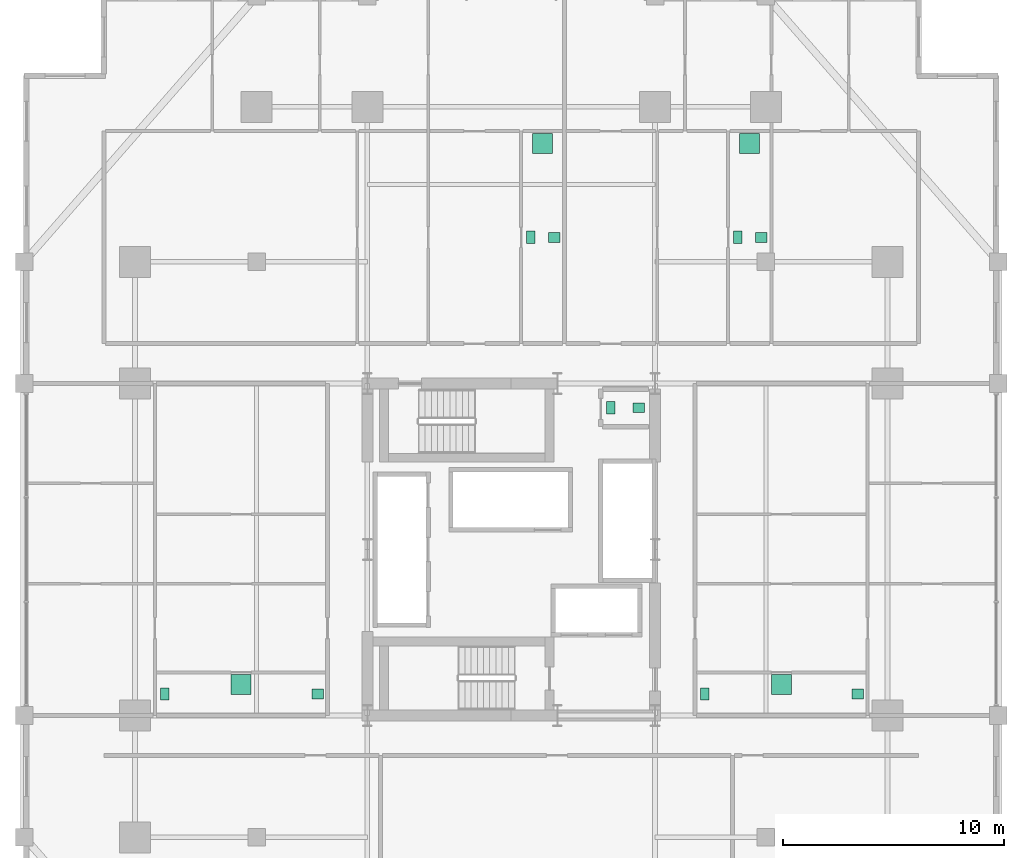
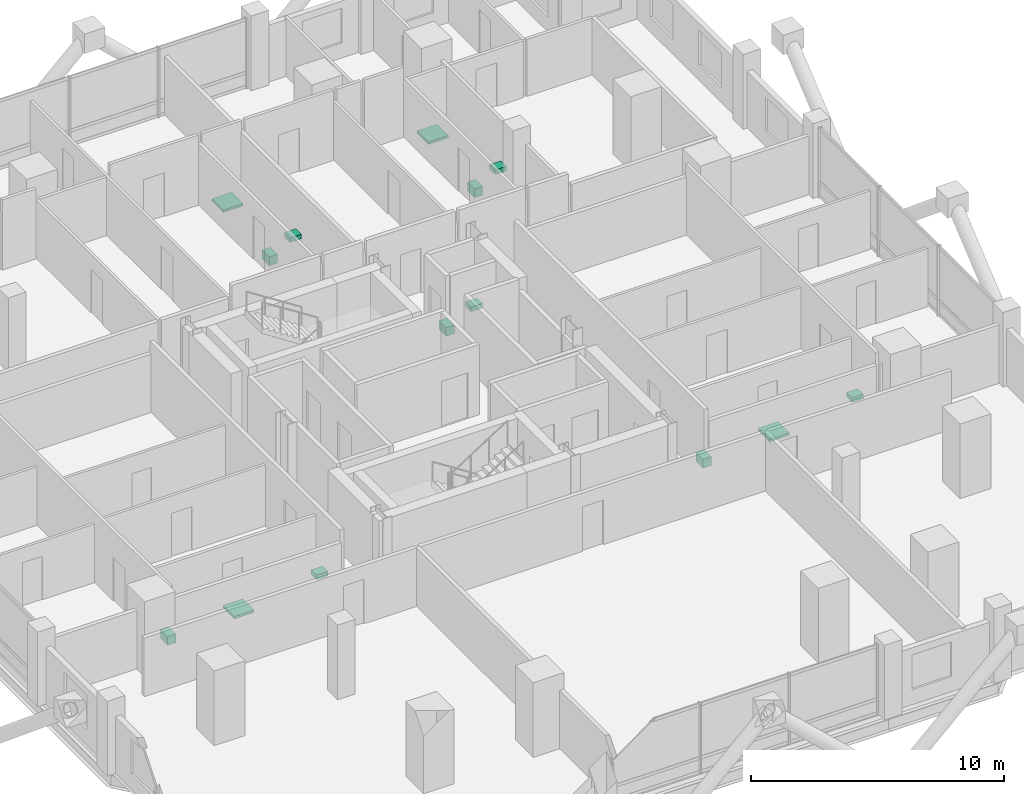
# One storey, part 23 of 23: 14 sanitary terminals.
"""IFC4 building model written with IfcOpenShell, lengths in metres."""

import ifcopenshell
import ifcopenshell.guid

model = None  # the IFC model being written
_history = None  # IfcOwnerHistory: only IFC2X3 demands one
_inside = {}  # id of a spatial element -> (the spatial element, [elements in it])
_under = {}  # id of a project, library or spatial element -> (it, [spatial elements below it])
_declared = {}  # id of a project -> (the project, [libraries it declares])
_typed = {}  # id of a type object -> (the type object, [elements of that type])
_made_of = {}  # id of a material, layer set ... -> (it, [elements and type objects made of it])


def new_model(schema):
    """Start an empty IFC model of exactly this schema.

    Asked for "IFC4X3", IfcOpenShell would pick the latest addendum, in which some entities
    have other attributes; the version numbers below select the first issue.
    IFC2X3 requires an IfcOwnerHistory on every rooted entity: one is made here for all.
    """
    global model, _history
    if schema == "IFC4X3":
        model = ifcopenshell.file(schema_version=(4, 3, 0, 0))
    else:
        model = ifcopenshell.file(schema=schema)
    _inside.clear()
    _under.clear()
    _declared.clear()
    _typed.clear()
    _made_of.clear()
    _history = None
    if model.schema == "IFC2X3":
        org = make("IfcOrganization", Name="unknown")
        user = make(
            "IfcPersonAndOrganization",
            ThePerson=make("IfcPerson", FamilyName="unknown"),
            TheOrganization=org,
        )
        app = make(
            "IfcApplication",
            ApplicationDeveloper=org,
            Version="unknown",
            ApplicationFullName="unknown",
            ApplicationIdentifier="unknown",
        )
        _history = make(
            "IfcOwnerHistory",
            OwningUser=user,
            OwningApplication=app,
            ChangeAction="ADDED",
            CreationDate=0,
        )
    return model


def make(cls, **values):
    """One entity of the class cls with the attributes given. An attribute that is None is left unset."""
    return model.create_entity(
        cls, **{name: value for name, value in values.items() if value is not None}
    )


def rooted(cls, **values):
    """An entity with a GlobalId (a new one), such as an element, a storey or a relation."""
    return make(cls, GlobalId=ifcopenshell.guid.new(), OwnerHistory=_history, **values)


def si_unit(unit_type, name, prefix=None):
    """IfcSIUnit, for example si_unit("LENGTHUNIT", "METRE", prefix="MILLI")."""
    return make("IfcSIUnit", UnitType=unit_type, Prefix=prefix, Name=name)


def assignment(units):
    """IfcUnitAssignment: the units of a project."""
    return None if units is None else make("IfcUnitAssignment", Units=units)


def point(xyz):
    """IfcCartesianPoint."""
    return None if xyz is None else make("IfcCartesianPoint", Coordinates=xyz)


def direction(xyz):
    """IfcDirection."""
    return None if xyz is None else make("IfcDirection", DirectionRatios=xyz)


def frame(location, z_axis=None, x_axis=None):
    """IfcAxis2Placement3D, a coordinate frame: its origin and axes. An axis left out is left unset."""
    return make(
        "IfcAxis2Placement3D",
        Location=point(location),
        Axis=direction(z_axis),
        RefDirection=direction(x_axis),
    )


def frame_2d(location, x_axis=None):
    """IfcAxis2Placement2D, a coordinate frame in the plane: its origin and x axis."""
    return make(
        "IfcAxis2Placement2D", Location=point(location), RefDirection=direction(x_axis)
    )


def origin():
    """The frame at (0, 0, 0) with its axes left unset."""
    return frame((0.0, 0.0, 0.0))


def origin_2d():
    """The frame at (0, 0) in the plane with its x axis left unset."""
    return frame_2d((0.0, 0.0))


def place(relative_to, where):
    """IfcLocalPlacement: puts the frame where relative to a parent placement (None: the world)."""
    return make(
        "IfcLocalPlacement", PlacementRelTo=relative_to, RelativePlacement=where
    )


def context(
    kind, dimensions, precision=None, world=None, true_north=None, identifier=None
):
    """IfcGeometricRepresentationContext, for example the 3D "Model" context."""
    return make(
        "IfcGeometricRepresentationContext",
        ContextIdentifier=identifier,
        ContextType=kind,
        CoordinateSpaceDimension=dimensions,
        Precision=precision,
        WorldCoordinateSystem=world,
        TrueNorth=true_north,
    )


def subcontext(parent, identifier, kind, view, scale=None):
    """IfcGeometricRepresentationSubContext, for example "Body" below "Model"."""
    return make(
        "IfcGeometricRepresentationSubContext",
        ContextIdentifier=identifier,
        ContextType=kind,
        ParentContext=parent,
        TargetScale=scale,
        TargetView=view,
    )


def project(units=None, contexts=None):
    """IfcProject with its units and contexts."""
    return rooted(
        "IfcProject",
        Name="project",
        RepresentationContexts=contexts,
        UnitsInContext=assignment(units),
    )


def spatial(cls, under=None, at=None, **own):
    """A site, building, storey or space (cls), placed at a placement, below another one or the project."""
    s = rooted(cls, ObjectPlacement=at, **own)
    if under is not None:
        _under.setdefault(under.id(), (under, []))[1].append(s)
    return s


def profile(cls, at=None, kind="AREA", **sizes):
    """A parametric profile (cls). Its sizes go by their IFC names, for example OverallWidth=200.0."""
    return make(cls, ProfileType=kind, Position=at, **sizes)


def rectangle(**sizes):
    """IfcRectangleProfileDef."""
    return profile("IfcRectangleProfileDef", **sizes)


def extrude(swept, where, along, depth):
    """IfcExtrudedAreaSolid: the profile swept, set in the frame where, extruded along a direction by depth."""
    return make(
        "IfcExtrudedAreaSolid",
        SweptArea=swept,
        Position=where,
        ExtrudedDirection=direction(along),
        Depth=depth,
    )


def shape(context_of_items, identifier, shape_type, items):
    """IfcShapeRepresentation: the items that make up one representation, for example the "Body"."""
    return make(
        "IfcShapeRepresentation",
        ContextOfItems=context_of_items,
        RepresentationIdentifier=identifier,
        RepresentationType=shape_type,
        Items=items,
    )


def material(Name=None, Category=None):
    """IfcMaterial."""
    return make("IfcMaterial", Name=Name, Category=Category)


def made_of(thing, what):
    """Note that an element or type object is made of a material, layer set ...; save() writes the relation."""
    if what is not None:
        _made_of.setdefault(what.id(), (what, []))[1].append(thing)
    return thing


def type_object(cls, material=None, **own):
    """A type object (cls), such as IfcWallType, which elements share."""
    return made_of(rooted(cls, **own), material)


def element(
    cls,
    number,
    at=None,
    inside=None,
    cuts=None,
    type_object=None,
    material=None,
    context=None,
    identifier="Body",
    shape_type=None,
    held_by="IfcProductDefinitionShape",
    body=None,
    shapes=None,
    **own,
):
    """One element of the class cls, such as IfcWall. Its Tag is "e" and its number.

    at: its placement. inside: the storey or other place that contains it. cuts: it is an
    opening in that element (IfcRelVoidsElement). A single representation is given by context,
    identifier, shape_type and body (its items); several are given by shapes. held_by: the class
    of the entity that holds the representations. save() writes the other relations.
    """
    e = rooted(cls, Tag="e%d" % number, ObjectPlacement=at, **own)
    if body is not None:
        shapes = [shape(context, identifier, shape_type, body)]
    if shapes is not None:
        e.Representation = make(held_by, Representations=shapes)
    if inside is not None:
        _inside.setdefault(inside.id(), (inside, []))[1].append(e)
    if cuts is not None:
        rooted(
            "IfcRelVoidsElement", RelatingBuildingElement=cuts, RelatedOpeningElement=e
        )
    if type_object is not None:
        _typed.setdefault(type_object.id(), (type_object, []))[1].append(e)
    return made_of(e, material)


def aggregate(whole, parts):
    """IfcRelAggregates: a whole, such as a stair, and the parts it consists of."""
    return rooted("IfcRelAggregates", RelatingObject=whole, RelatedObjects=parts)


def save(model, path):
    """Write the relations noted so far, then the file.

    IfcRelAggregates (storeys below a building ...), IfcRelContainedInSpatialStructure (elements
    in a storey), IfcRelDefinesByType, IfcRelAssociatesMaterial and IfcRelDeclares: one each for
    every whole, place, type object, material and project.
    """
    for whole, parts in _under.values():
        aggregate(whole, parts)
    for where, things in _inside.values():
        rooted(
            "IfcRelContainedInSpatialStructure",
            RelatedElements=things,
            RelatingStructure=where,
        )
    for kind, things in _typed.values():
        rooted("IfcRelDefinesByType", RelatedObjects=things, RelatingType=kind)
    for what, things in _made_of.values():
        rooted("IfcRelAssociatesMaterial", RelatedObjects=things, RelatingMaterial=what)
    for by, libraries in _declared.values():
        rooted("IfcRelDeclares", RelatingContext=by, RelatedDefinitions=libraries)
    model.write(path)


model = new_model("IFC4")

# Units and contexts
model_context = context("Model", 3, precision=1e-05, world=origin(), true_north=direction((0.0, 1.0)))
body_context = subcontext(model_context, "Body", "Model", "MODEL_VIEW")
ifc_project = project(units=[si_unit("LENGTHUNIT", "METRE"), si_unit("AREAUNIT", "SQUARE_METRE"), si_unit("VOLUMEUNIT", "CUBIC_METRE"), si_unit("PLANEANGLEUNIT", "RADIAN"), si_unit("MASSUNIT", "GRAM", prefix="KILO")], contexts=[model_context])

# Site, building, storey
site_placement = place(None, origin())
site = spatial("IfcSite", under=ifc_project, at=site_placement, CompositionType="ELEMENT")
building_placement = place(site_placement, origin())
building = spatial("IfcBuilding", under=site, at=building_placement, Name="Barlavira Tower and Art Museum", CompositionType="ELEMENT")
storey_placement = place(building_placement, frame((0.0, 0.0, 57.60009765625)))
storey = spatial("IfcBuildingStorey", under=building, at=storey_placement, Name="L13", CompositionType="ELEMENT", Elevation=57.60009765625)

# Sanitary terminals
ifc_material = material(Name="Vitreous glazed ceramic", Category="ceramic")
sanitary_terminal_type_1 = type_object("IfcSanitaryTerminalType", Name="Countertop Ceramic Wash Hand Basin", PredefinedType="WASHHANDBASIN", material=ifc_material)
for number, where, z_axis, x_axis, name in (
    (1, (5.75, 6.39990234375, 0.73974609375), (0.0, 0.0, 1.0), (1.0, 0.0, 0.0), "L13-C-AWC4 Wash Basin"),
    (2, (1.93994140625, 14.10009765625, 0.73974609375), (0.0, 0.0, 1.0), (1.0, 0.0, 0.0), "L13-N1-BTH1 Wash Basin"),
    (3, (11.2900390625, 14.10009765625, 0.73974609375), (0.0, 0.0, 1.0), (1.0, 0.0, 0.0), "L13-N2-BTH1 Wash Basin"),
    (4, (-8.75, -6.52490234375, 0.73974609375), (0.0, 0.0, 1.0), (1.0, 0.0, 0.0), "L13-W1-BTH1 Wash Basin"),
    (5, (15.64990234375, -6.52490234375, 0.73974609375), (0.0, 0.0, 1.0), (1.0, 0.0, 0.0), "L13-E1-BTH1 Wash Basin"),
):
    element("IfcSanitaryTerminal", number, at=place(storey_placement, frame(where, z_axis=z_axis, x_axis=x_axis)), inside=storey, type_object=sanitary_terminal_type_1, Name=name, PredefinedType="WASHHANDBASIN", context=body_context, shape_type="SweptSolid", body=[
        extrude(rectangle(XDim=0.52001953125, YDim=0.43994140625, at=origin_2d()), origin(), (0.0, 0.0, 1.0), 0.219970703125),
    ])
sanitary_terminal_type_2 = type_object("IfcSanitaryTerminalType", Name="Walk-In Thermostatic Rain Shower Unit", PredefinedType="SHOWER", material=ifc_material)
for number, where, z_axis, x_axis, name in (
    (6, (1.4150390625, 18.35009765625, -0.000244140625), (0.0, 0.0, 1.0), (1.0, 0.0, 0.0), "L13-N1-BTH1 Rain Shower"),
    (7, (10.764892578125, 18.35009765625, -0.000244140625), (0.0, 0.0, 1.0), (1.0, 0.0, 0.0), "L13-N2-BTH1 Rain Shower"),
    (8, (-12.199951171875, -6.10009765625, -0.000244140625), (0.0, 0.0, 1.0), (1.0, 0.0, 0.0), "L13-W1-BTH1 Rain Shower"),
    (9, (12.199951171875, -6.10009765625, -0.000244140625), (0.0, 0.0, 1.0), (1.0, 0.0, 0.0), "L13-E1-BTH1 Rain Shower"),
):
    element("IfcSanitaryTerminal", number, at=place(storey_placement, frame(where, z_axis=z_axis, x_axis=x_axis)), inside=storey, type_object=sanitary_terminal_type_2, Name=name, PredefinedType="SHOWER", context=body_context, shape_type="SweptSolid", body=[
        extrude(rectangle(XDim=0.89990234375, YDim=0.89990234375, at=origin_2d()), origin(), (0.0, 0.0, 1.0), 0.1201171875),
    ])
sanitary_terminal_type_3 = type_object("IfcSanitaryTerminalType", Name="Wall-Hung Dual-Flush Vitreous WC Pan", PredefinedType="TOILETPAN", material=ifc_material)
for number, where, z_axis, x_axis, name in (
    (10, (4.5, 6.39990234375, 0.0), (0.0, 0.0, 1.0), (1.0, 0.0, 0.0), "L13-C-AWC4 WC Pan"),
    (11, (0.889892578125, 14.10009765625, 0.0), (0.0, 0.0, 1.0), (1.0, 0.0, 0.0), "L13-N1-BTH1 WC Pan"),
    (12, (10.239990234375, 14.10009765625, 0.0), (0.0, 0.0, 1.0), (1.0, 0.0, 0.0), "L13-N2-BTH1 WC Pan"),
    (13, (-15.64990234375, -6.52490234375, 0.0), (0.0, 0.0, 1.0), (1.0, 0.0, 0.0), "L13-W1-BTH1 WC Pan"),
    (14, (8.75, -6.52490234375, 0.0), (0.0, 0.0, 1.0), (1.0, 0.0, 0.0), "L13-E1-BTH1 WC Pan"),
):
    element("IfcSanitaryTerminal", number, at=place(storey_placement, frame(where, z_axis=z_axis, x_axis=x_axis)), inside=storey, type_object=sanitary_terminal_type_3, Name=name, PredefinedType="TOILETPAN", context=body_context, shape_type="SweptSolid", body=[
        extrude(rectangle(XDim=0.3798828125, YDim=0.56005859375, at=origin_2d()), origin(), (0.0, 0.0, 1.0), 0.419921875),
    ])

save(model, "model.ifc")
